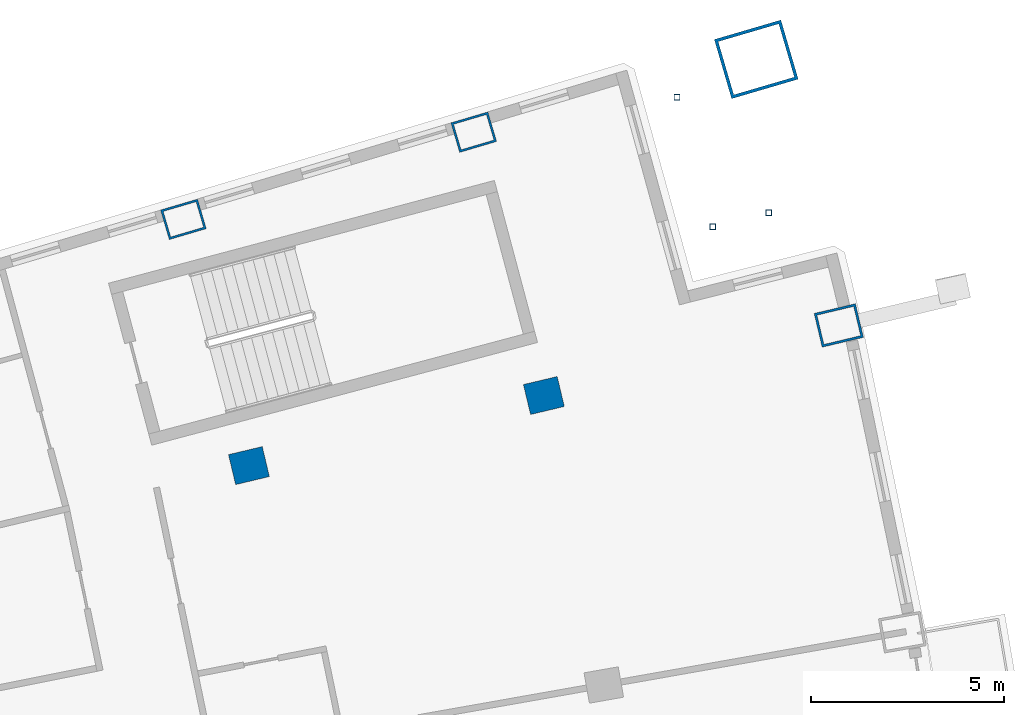
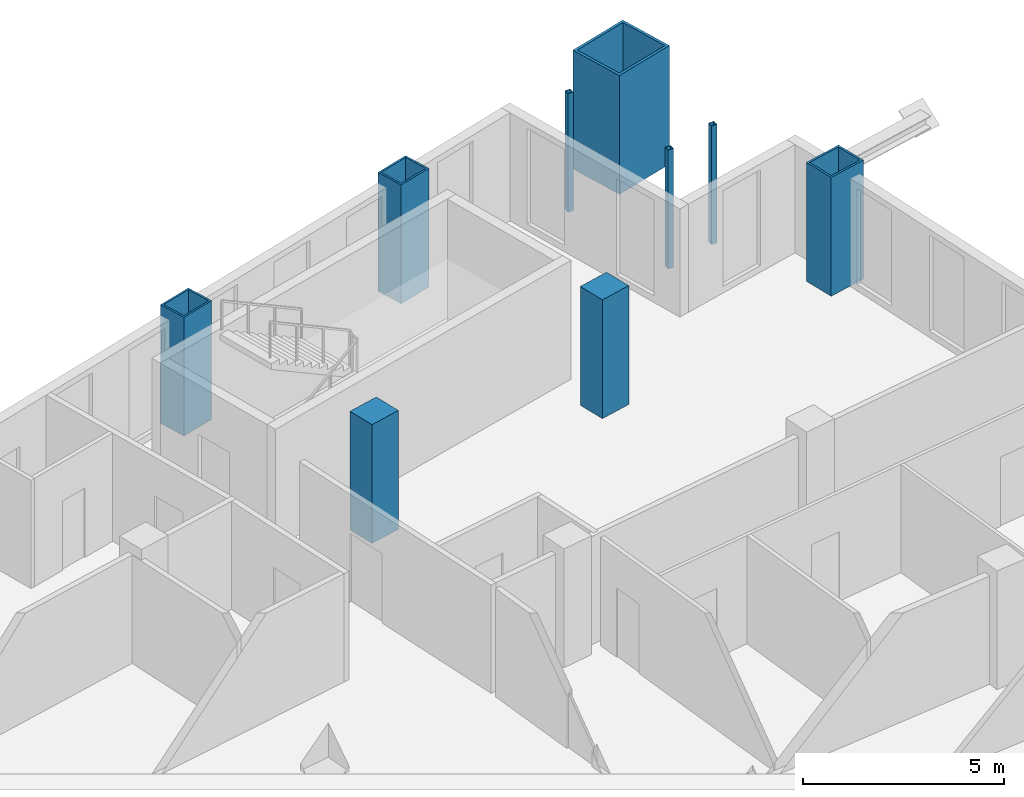
# One storey, part 8 of 20: 9 columns.
"""IFC4 building model written with IfcOpenShell, lengths in metres."""

from ifc_helpers import new_model, si_unit, direction, frame, origin, origin_2d, place, context, subcontext, project, spatial, rectangle, hollow_rectangle, extrude, material, material_profile, profile_set, type_object, element, save


model = new_model("IFC4")

# Units and contexts
model_context = context("Model", 3, precision=1e-05, world=origin(), true_north=direction((0.0, 1.0)))
body_context = subcontext(model_context, "Body", "Model", "MODEL_VIEW")
ifc_project = project(units=[si_unit("LENGTHUNIT", "METRE"), si_unit("AREAUNIT", "SQUARE_METRE"), si_unit("VOLUMEUNIT", "CUBIC_METRE"), si_unit("PLANEANGLEUNIT", "RADIAN"), si_unit("MASSUNIT", "GRAM", prefix="KILO")], contexts=[model_context])

# Site, building, storey
site_placement = place(None, origin())
site = spatial("IfcSite", under=ifc_project, at=site_placement, CompositionType="ELEMENT")
building_placement = place(site_placement, origin())
building = spatial("IfcBuilding", under=site, at=building_placement, Name="Alderwake Tower", CompositionType="ELEMENT")
storey_placement = place(building_placement, frame((0.0, 0.0, 167.60009765625)))
storey = spatial("IfcBuildingStorey", under=building, at=storey_placement, Name="L41", CompositionType="ELEMENT", Elevation=167.60009765625)

# Columns
ifc_material_1 = material(Name="Steel ASTM A572 Grade 50 concrete filled C70/85", Category="concrete")
ifc_material_profile_1 = material_profile(ifc_material_1, hollow_rectangle(XDim=0.800048828125, YDim=1.0, WallThickness=0.054931640625, at=origin_2d()), Name="BOX 1000X800X55")
ifc_profile_set_1 = profile_set([ifc_material_profile_1], Name="Steel ASTM A572 Grade 50 concrete filled C70/85")
column_type_1 = type_object("IfcColumnType", Name="End column Z3", PredefinedType="COLUMN", material=ifc_profile_set_1)
for number, where, z_axis, x_axis, name in (
    (1, (38.614990234375, 95.985107421875, 0.0), (0.0, 0.0, 1.0), (-0.282898957267, 0.959149717186, 0.0), "Column R12-C3"),
    (2, (46.1494140625, 98.247314453125, 0.0), (0.0, 0.0, 1.0), (-0.283176834711, 0.959067714128, 0.0), "Column R12-C4"),
):
    element("IfcColumn", number, at=place(storey_placement, frame(where, z_axis=z_axis, x_axis=x_axis)), inside=storey, type_object=column_type_1, Name=name, PredefinedType="COLUMN", context=body_context, shape_type="SweptSolid", body=[
        extrude(hollow_rectangle(XDim=0.800048828125, YDim=1.0, WallThickness=0.054931640625, at=origin_2d()), origin(), (0.0, 0.0, 1.0), 3.599853515625),
    ])
ifc_material_2 = material(Name="Concrete C70/85", Category="concrete")
ifc_material_profile_2 = material_profile(ifc_material_2, rectangle(XDim=0.800048828125, YDim=0.89990234375, at=origin_2d()), Name="RC 900X800")
ifc_profile_set_2 = profile_set([ifc_material_profile_2], Name="Concrete C70/85")
column_type_2 = type_object("IfcColumnType", Name="Interior column Z3", PredefinedType="COLUMN", material=ifc_profile_set_2)
for number, where, z_axis, x_axis, name in (
    (3, (40.3154296875, 89.594482421875, 0.0), (0.0, 0.0, 1.0), (-0.231221547198, 0.972901123502, 0.0), "Column R11-C3"),
    (4, (47.968994140625, 91.413330078125, 0.0), (0.0, 0.0, 1.0), (-0.231221547198, 0.972901123502, 0.0), "Column R11-C4"),
):
    element("IfcColumn", number, at=place(storey_placement, frame(where, z_axis=z_axis, x_axis=x_axis)), inside=storey, type_object=column_type_2, Name=name, PredefinedType="COLUMN", context=body_context, shape_type="SweptSolid", body=[
        extrude(rectangle(XDim=0.800048828125, YDim=0.89990234375, at=origin_2d()), origin(), (0.0, 0.0, 1.0), 3.599853515625),
    ])
ifc_material_3 = material(Name="Steel ASTM A500 Grade C", Category="steel")
ifc_material_profile_3 = material_profile(ifc_material_3, hollow_rectangle(XDim=0.15234375, YDim=0.15234375, WallThickness=0.0087890625, at=origin_2d()), Name="HSS6X6X3/8")
ifc_profile_set_3 = profile_set([ifc_material_profile_3], Name="Steel ASTM A500 Grade C")
column_type_3 = type_object("IfcColumnType", Name="Light post HSS6X6X3/8", PredefinedType="COLUMN", material=ifc_profile_set_3)
for number, where, z_axis, x_axis, name in (
    (5, (53.807861328125, 96.159423828125, 0.0), (0.0, 0.0, 1.0), (1.0, 0.0, 0.0), "Terrace post FN1"),
    (6, (51.42431640625, 99.152099609375, 0.0), (0.0, 0.0, 1.0), (1.0, 0.0, 0.0), "Terrace post FN2"),
    (7, (52.353759765625, 95.791259765625, 0.0), (0.0, 0.0, 1.0), (1.0, 0.0, 0.0), "Terrace post FN3"),
):
    element("IfcColumn", number, at=place(storey_placement, frame(where, z_axis=z_axis, x_axis=x_axis)), inside=storey, type_object=column_type_3, Name=name, PredefinedType="COLUMN", context=body_context, shape_type="SweptSolid", body=[
        extrude(hollow_rectangle(XDim=0.15234375, YDim=0.15234375, WallThickness=0.0087890625, at=origin_2d()), origin(), (0.0, 0.0, 1.0), 3.599853515625),
    ])
ifc_material_4 = material(Name="Steel ASTM A572 Grade 50 concrete filled C70/85", Category="concrete")
ifc_material_profile_4 = material_profile(ifc_material_4, hollow_rectangle(XDim=1.60009765625, YDim=1.800048828125, WallThickness=0.080078125, at=origin_2d()), Name="BOX 1800X1600X80")
ifc_profile_set_4 = profile_set([ifc_material_profile_4], Name="Steel ASTM A572 Grade 50 concrete filled C70/85")
column_type_4 = type_object("IfcColumnType", Name="Mega column Z3", PredefinedType="COLUMN", material=ifc_profile_set_4)
column_1_placement = place(storey_placement, frame((53.480712890625, 100.13720703125, 0.0), z_axis=(0.0, 0.0, 1.0), x_axis=(-0.281360158561, 0.959602241126, 0.0)))
element("IfcColumn", 8, at=column_1_placement, inside=storey, type_object=column_type_4, Name="Column R12-C5", PredefinedType="COLUMN", context=body_context, shape_type="SweptSolid", body=[
    extrude(hollow_rectangle(XDim=1.60009765625, YDim=1.800048828125, WallThickness=0.080078125, at=origin_2d()), origin(), (0.0, 0.0, 1.0), 3.599853515625),
])
ifc_material_5 = material(Name="Steel ASTM A572 Grade 50 concrete filled C70/85", Category="concrete")
ifc_material_profile_5 = material_profile(ifc_material_5, hollow_rectangle(XDim=0.89990234375, YDim=1.10009765625, WallThickness=0.06005859375, at=origin_2d()), Name="BOX 1100X900X60")
ifc_profile_set_5 = profile_set([ifc_material_profile_5], Name="Steel ASTM A572 Grade 50 concrete filled C70/85")
column_type_5 = type_object("IfcColumnType", Name="Perimeter column Z3", PredefinedType="COLUMN", material=ifc_profile_set_5)
column_2_placement = place(storey_placement, frame((55.622314453125, 93.232421875, 0.0), z_axis=(0.0, 0.0, 1.0), x_axis=(-0.231221547198, 0.972901123502, 0.0)))
element("IfcColumn", 9, at=column_2_placement, inside=storey, type_object=column_type_5, Name="Column R11-C5", PredefinedType="COLUMN", context=body_context, shape_type="SweptSolid", body=[
    extrude(hollow_rectangle(XDim=0.89990234375, YDim=1.10009765625, WallThickness=0.06005859375, at=origin_2d()), origin(), (0.0, 0.0, 1.0), 3.599853515625),
])

save(model, "model.ifc")
